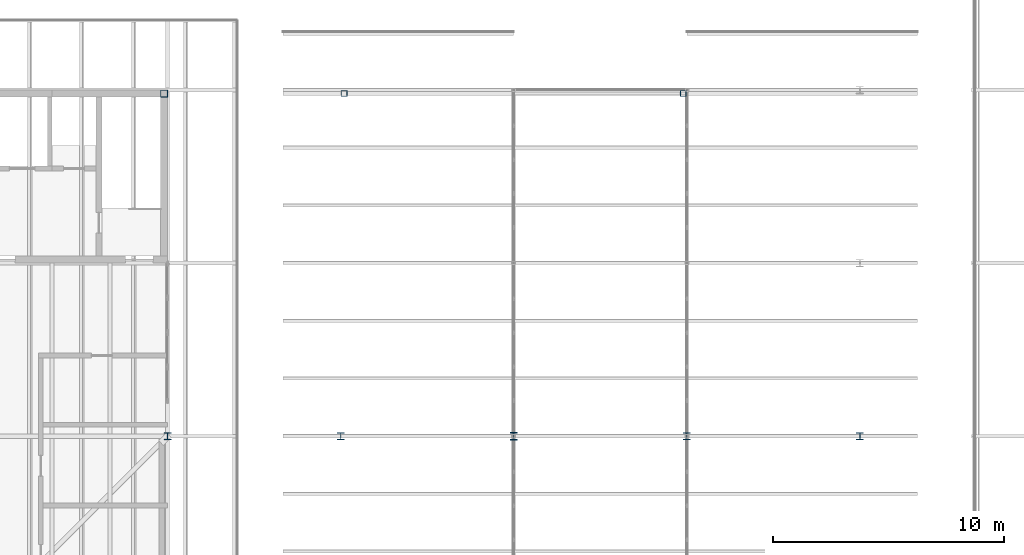
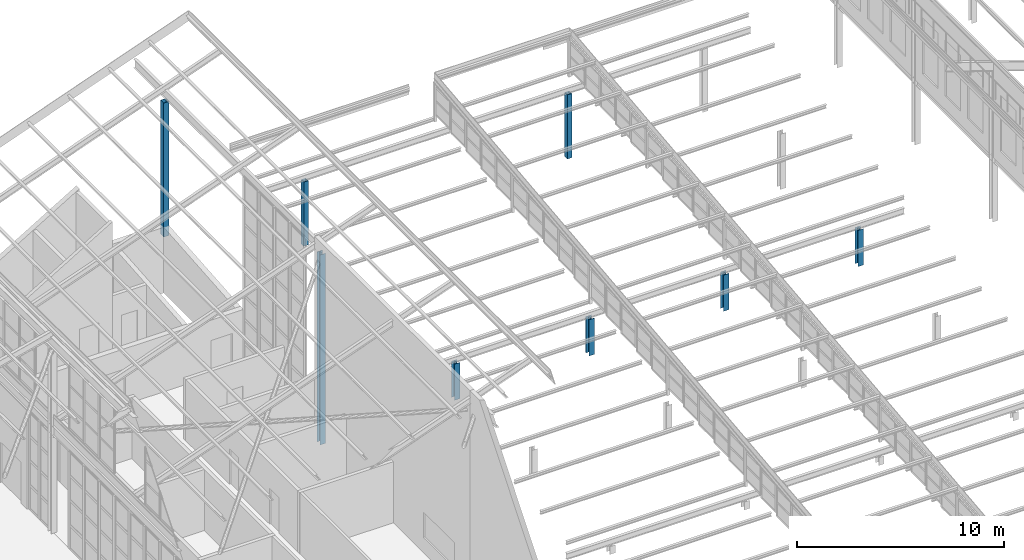
# One storey, part 10 of 483: 8 columns.
"""IFC4 building model written with IfcOpenShell, lengths in metres."""

from ifc_helpers import new_model, si_unit, direction, frame, origin, origin_2d, place, context, subcontext, project, spatial, hollow_rectangle, i_section, extrude, material, material_profile, profile_set, type_object, element, save


model = new_model("IFC4")

# Units and contexts
model_context = context("Model", 3, precision=1e-05, world=origin(), true_north=direction((0.0, 1.0)))
body_context = subcontext(model_context, "Body", "Model", "MODEL_VIEW")
ifc_project = project(units=[si_unit("LENGTHUNIT", "METRE"), si_unit("AREAUNIT", "SQUARE_METRE"), si_unit("VOLUMEUNIT", "CUBIC_METRE"), si_unit("PLANEANGLEUNIT", "RADIAN"), si_unit("MASSUNIT", "GRAM", prefix="KILO")], contexts=[model_context])

# Site, building, storey
site_placement = place(None, origin())
site = spatial("IfcSite", under=ifc_project, at=site_placement, CompositionType="ELEMENT")
building_placement = place(site_placement, origin())
building = spatial("IfcBuilding", under=site, at=building_placement, Name="Parallax Yard Mobility Hub", CompositionType="ELEMENT")
storey_placement = place(building_placement, frame((0.0, 0.0, 13.199951171875)))
storey = spatial("IfcBuildingStorey", under=building, at=storey_placement, Name="L04", CompositionType="ELEMENT", Elevation=13.199951171875)

# Columns
ifc_material_1 = material(Name="Steel ASTM A500 Gr C", Category="steel")
ifc_material_profile_1 = material_profile(ifc_material_1, hollow_rectangle(XDim=0.25390625, YDim=0.25390625, WallThickness=0.0126953125, at=origin_2d()), Name="HSS254x254x12.7")
ifc_profile_set_1 = profile_set([ifc_material_profile_1], Name="Steel ASTM A500 Gr C")
column_type_1 = type_object("IfcColumnType", Name="Roof column HSS254x254x12.7", PredefinedType="COLUMN", material=ifc_profile_set_1)
for number, where, z_axis, x_axis, name in (
    (1, (150.14990234375, 52.35009765625, 0.0), (0.0, 0.0, 1.0), (1.0, 0.0, 0.0), "Roof post on core roof at x 150 level L04"),
    (2, (164.85009765625, 52.35009765625, 0.0), (0.0, 0.0, 1.0), (1.0, 0.0, 0.0), "Roof post on core roof at x 165 level L04"),
):
    element("IfcColumn", number, at=place(storey_placement, frame(where, z_axis=z_axis, x_axis=x_axis)), inside=storey, type_object=column_type_1, Name=name, PredefinedType="COLUMN", context=body_context, shape_type="SweptSolid", body=[
        extrude(hollow_rectangle(XDim=0.25390625, YDim=0.25390625, WallThickness=0.0126953125, at=origin_2d()), origin(), (0.0, 0.0, 1.0), 3.783447265625),
    ])
ifc_material_profile_2 = material_profile(ifc_material_1, hollow_rectangle(XDim=0.3046875, YDim=0.3046875, WallThickness=0.0126953125, at=origin_2d()), Name="HSS305x305x12.7")
ifc_profile_set_2 = profile_set([ifc_material_profile_2], Name="Steel ASTM A500 Gr C")
column_type_2 = type_object("IfcColumnType", Name="Roof column HSS305x305x12.7", PredefinedType="COLUMN", material=ifc_profile_set_2)
column_1_placement = place(storey_placement, frame((142.35009765625, 52.35009765625, 3.300048828125), z_axis=(0.0, 0.0, 1.0), x_axis=(1.0, 0.0, 0.0)))
element("IfcColumn", 3, at=column_1_placement, inside=storey, type_object=column_type_2, Name="Roof post on core roof at x 142.5", PredefinedType="COLUMN", context=body_context, shape_type="SweptSolid", body=[
    extrude(hollow_rectangle(XDim=0.3046875, YDim=0.3046875, WallThickness=0.0126953125, at=origin_2d()), origin(), (0.0, 0.0, 1.0), 7.89990234375),
])
ifc_material_2 = material(Name="Steel ASTM A992", Category="steel")
ifc_material_profile_3 = material_profile(ifc_material_2, i_section(OverallWidth=0.306884765625, OverallDepth=0.318115234375, WebThickness=0.01318359375, FlangeThickness=0.0205078125, FilletRadius=0.01513671875, at=origin_2d()), Name="W310x129")
ifc_profile_set_3 = profile_set([ifc_material_profile_3], Name="Steel ASTM A992")
column_type_3 = type_object("IfcColumnType", Name="W310x129 column", PredefinedType="COLUMN", material=ifc_profile_set_3)
column_2_placement = place(storey_placement, frame((142.5, 37.5, 0.0), z_axis=(0.0, 0.0, 1.0), x_axis=(1.0, 0.0, 0.0)))
element("IfcColumn", 4, at=column_2_placement, inside=storey, type_object=column_type_3, Name="Roof column F/20 level L04", PredefinedType="COLUMN", context=body_context, shape_type="SweptSolid", body=[
    extrude(i_section(OverallWidth=0.306884765625, OverallDepth=0.318115234375, WebThickness=0.01318359375, FlangeThickness=0.0205078125, FilletRadius=0.01513671875, at=origin_2d()), origin(), (0.0, 0.0, 1.0), 11.199951171875),
])
ifc_material_profile_4 = material_profile(ifc_material_2, i_section(OverallWidth=0.31005859375, OverallDepth=0.327880859375, WebThickness=0.015380859375, FlangeThickness=0.025146484375, FilletRadius=0.015380859375, at=origin_2d()), Name="W310x158")
ifc_profile_set_4 = profile_set([ifc_material_profile_4], Name="Steel ASTM A992")
column_type_4 = type_object("IfcColumnType", Name="W310x158 column", PredefinedType="COLUMN", material=ifc_profile_set_4)
column_3_placement = place(storey_placement, frame((157.5, 37.5, 0.0), z_axis=(0.0, 0.0, 1.0), x_axis=(1.0, 0.0, 0.0)))
element("IfcColumn", 5, at=column_3_placement, inside=storey, type_object=column_type_4, Name="Roof column F/22 level L04", PredefinedType="COLUMN", context=body_context, shape_type="SweptSolid", body=[
    extrude(i_section(OverallWidth=0.31005859375, OverallDepth=0.327880859375, WebThickness=0.015380859375, FlangeThickness=0.025146484375, FilletRadius=0.015380859375, at=origin_2d()), origin(), (0.0, 0.0, 1.0), 2.13330078125),
])
ifc_material_profile_5 = material_profile(ifc_material_2, i_section(OverallWidth=0.304931640625, OverallDepth=0.306884765625, WebThickness=0.010009765625, FlangeThickness=0.015380859375, FilletRadius=0.01513671875, at=origin_2d()), Name="W310x97")
ifc_profile_set_5 = profile_set([ifc_material_profile_5], Name="Steel ASTM A992")
column_type_5 = type_object("IfcColumnType", Name="W310x97 column", PredefinedType="COLUMN", material=ifc_profile_set_5)
for number, where, z_axis, x_axis, name in (
    (6, (150.0, 37.5, 0.0), (0.0, 0.0, 1.0), (1.0, 0.0, 0.0), "Roof column F/21 level L04"),
    (7, (165.0, 37.5, 0.0), (0.0, 0.0, 1.0), (1.0, 0.0, 0.0), "Roof column F/23 level L04"),
    (8, (172.5, 37.5, 0.0), (0.0, 0.0, 1.0), (1.0, 0.0, 0.0), "Roof column F/24 level L04"),
):
    element("IfcColumn", number, at=place(storey_placement, frame(where, z_axis=z_axis, x_axis=x_axis)), inside=storey, type_object=column_type_5, Name=name, PredefinedType="COLUMN", context=body_context, shape_type="SweptSolid", body=[
        extrude(i_section(OverallWidth=0.304931640625, OverallDepth=0.306884765625, WebThickness=0.010009765625, FlangeThickness=0.015380859375, FilletRadius=0.01513671875, at=origin_2d()), origin(), (0.0, 0.0, 1.0), 2.13330078125),
    ])

save(model, "model.ifc")
